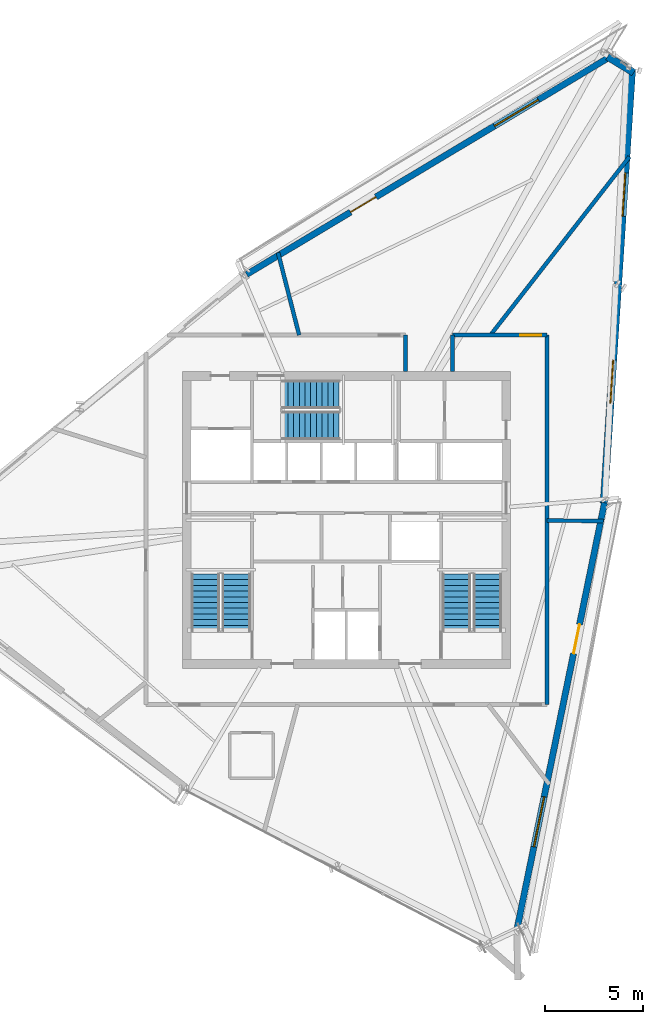
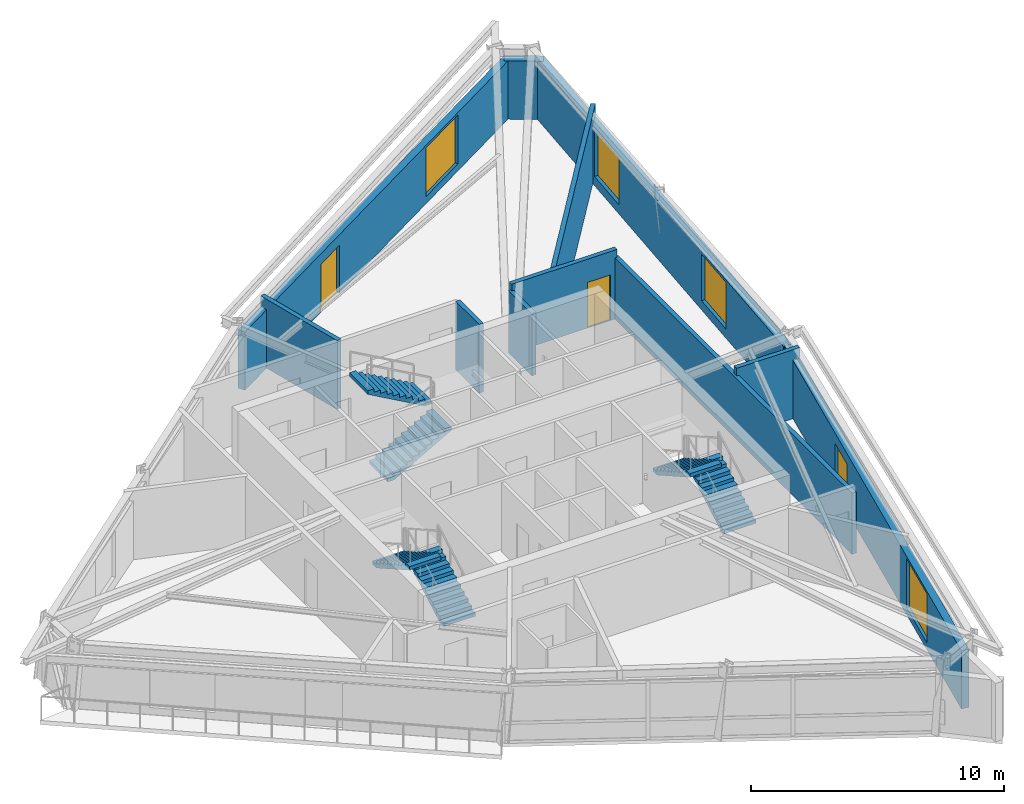
# One storey, part 11 of 14: 11 walls, 6 stair flights, 4 windows, 3 doors, 7 openings, 3 elements without a shape of their own.
"""IFC4 building model written with IfcOpenShell, lengths in metres."""

from ifc_helpers import new_model, si_unit, direction, frame, frame_2d, origin, place, context, subcontext, project, spatial, polyline, rectangle, outline, extrude, source, transform, mapped, material, layer, layer_set, type_object, type_shapes, element, fill, aggregate, save


model = new_model("IFC4")

# Units and contexts
model_context = context("Model", 3, precision=1e-05, world=origin(), true_north=direction((0.0, 1.0)))
body_context = subcontext(model_context, "Body", "Model", "MODEL_VIEW")
ifc_project = project(units=[si_unit("LENGTHUNIT", "METRE"), si_unit("AREAUNIT", "SQUARE_METRE"), si_unit("VOLUMEUNIT", "CUBIC_METRE"), si_unit("PLANEANGLEUNIT", "RADIAN"), si_unit("MASSUNIT", "GRAM", prefix="KILO")], contexts=[model_context])

# Site, building, storey
site_placement = place(None, origin())
site = spatial("IfcSite", under=ifc_project, at=site_placement, CompositionType="ELEMENT")
building_placement = place(site_placement, origin())
building = spatial("IfcBuilding", under=site, at=building_placement, Name="Olszyna Solenne Hotel", CompositionType="ELEMENT")
storey_placement = place(building_placement, frame((0.0, 0.0, 274.10009765625)))
storey = spatial("IfcBuildingStorey", under=building, at=storey_placement, Name="L73", CompositionType="ELEMENT", Elevation=274.10009765625)

# Wall, openings, door, window
ifc_material_1 = material(Name="Precast concrete C45/55", Category="concrete")
ifc_layer_1 = layer(ifc_material_1, 0.320068359375, Name="Precast concrete C45/55")
ifc_layer_set_1 = layer_set([ifc_layer_1], Name="Precast concrete C45/55")
wall_type_1 = type_object("IfcWallType", Name="WL-EX320", PredefinedType="SOLIDWALL", material=ifc_layer_set_1)
wall_1_placement = place(storey_placement, frame((51.125732421875, 27.472900390625, 0.0), z_axis=(0.0, 0.0, 1.0), x_axis=(-0.201040285464, -0.979582974342, 0.0)))
wall_1 = element("IfcWall", 1, at=wall_1_placement, inside=storey, type_object=wall_type_1, Name="Exterior terracotta-precast frame wall WL-EX320 EW-L73-01", PredefinedType="SOLIDWALL", context=body_context, shape_type="SweptSolid", body=[
    extrude(rectangle(XDim=22.118896484375, YDim=0.320068359375, at=frame_2d((11.0595703125, 0.0))), origin(), (0.0, 0.0, 1.0), 2.81201171875),
])
opening_1_placement = place(wall_1_placement, frame((6.327880859375, 0.0, 0.0)))
opening_1 = element("IfcOpeningElement", 2, at=opening_1_placement, cuts=wall_1, Name="Opening LDG-L73-3", PredefinedType="OPENING", context=body_context, shape_type="SweptSolid", body=[
    extrude(rectangle(XDim=1.5, YDim=2.300048828125, at=frame_2d((0.75, 1.14990234375))), frame((0.0, 0.169921875, 0.0), z_axis=(0.0, -1.0, 0.0), x_axis=(1.0, 0.0, 0.0)), (0.0, 0.0, 1.0), 0.340087890625),
])
opening_2_placement = place(wall_1_placement, frame((15.26806640625, 0.0, 0.342041015625)))
opening_2 = element("IfcOpeningElement", 3, at=opening_2_placement, cuts=wall_1, Name="Opening WN-L73-487", PredefinedType="OPENING", context=body_context, shape_type="SweptSolid", body=[
    extrude(rectangle(XDim=2.60009765625, YDim=2.35009765625, at=frame_2d((1.300048828125, 1.175048828125))), frame((0.0, 0.169921875, 0.0), z_axis=(0.0, -1.0, 0.0), x_axis=(1.0, 0.0, 0.0)), (0.0, 0.0, 1.0), 0.340087890625),
])
ifc_material_2 = material(Name="Anodised bronze aluminium", Category="aluminium")
door_type_1 = type_object("IfcDoorType", Name="DR-LG2", OperationType="DOUBLE_DOOR_SINGLE_SWING", PredefinedType="DOOR", material=ifc_material_2)
shared_shape_1 = source(origin(), body_context, "Body", "SweptSolid", [
    extrude(rectangle(XDim=1.5, YDim=2.300048828125, at=frame_2d((0.75, 1.14990234375))), frame((0.0, 0.02490234375, 0.0), z_axis=(0.0, -1.0, 0.0), x_axis=(1.0, 0.0, 0.0)), (0.0, 0.0, 1.0), 0.050048828125),
])
type_shapes(door_type_1, [shared_shape_1])
door_1_placement = place(opening_1_placement, origin())
door_1 = element("IfcDoor", 4, at=door_1_placement, inside=storey, type_object=door_type_1, Name="Exterior loggia balcony door DR-LG2 LDG-L73-3", OperationType="DOUBLE_DOOR_SINGLE_SWING", OverallHeight=2.300048828125, OverallWidth=1.5, PredefinedType="DOOR", context=body_context, shape_type="MappedRepresentation", body=[
    mapped(shared_shape_1, transform((0.0, 0.0, 0.0), x_axis=(1.0, 0.0, 0.0), y_axis=(0.0, 1.0, 0.0), z_axis=(0.0, 0.0, 1.0), scale=1.0)),
])
fill(opening_1, door_1)
ifc_material_3 = material(Name="Low-E triple glazing", Category="glass")
window_type_1 = type_object("IfcWindowType", Name="WN-ST1", PartitioningType="SINGLE_PANEL", PredefinedType="WINDOW", material=ifc_material_3)
shared_shape_2 = source(origin(), body_context, "Body", "SweptSolid", [
    extrude(rectangle(XDim=2.60009765625, YDim=2.35009765625, at=frame_2d((1.300048828125, 1.175048828125))), frame((0.0, 0.030029296875, 0.0), z_axis=(0.0, -1.0, 0.0), x_axis=(1.0, 0.0, 0.0)), (0.0, 0.0, 1.0), 0.06005859375),
])
type_shapes(window_type_1, [shared_shape_2])
window_1_placement = place(opening_2_placement, origin())
window_1 = element("IfcWindow", 5, at=window_1_placement, inside=storey, type_object=window_type_1, Name="Loggia room window WN-ST1 WN-L73-487", OverallHeight=2.35009765625, OverallWidth=2.60009765625, PartitioningType="SINGLE_PANEL", PredefinedType="WINDOW", context=body_context, shape_type="MappedRepresentation", body=[
    mapped(shared_shape_2, transform((0.0, 0.0, 0.0), x_axis=(1.0, 0.0, 0.0), y_axis=(0.0, 1.0, 0.0), z_axis=(0.0, 0.0, 1.0), scale=1.0)),
])
fill(opening_2, window_1)

wall_2_placement = place(storey_placement, frame((32.921142578125, 39.085205078125, 0.0), z_axis=(0.0, 0.0, 1.0), x_axis=(0.8579501269, 0.513732984879, 0.0)))
wall_2 = element("IfcWall", 6, at=wall_2_placement, inside=storey, type_object=wall_type_1, Name="Exterior terracotta-precast frame wall WL-EX320 EW-L73-08", PredefinedType="SOLIDWALL", context=body_context, shape_type="SweptSolid", body=[
    extrude(rectangle(XDim=21.610595703125, YDim=0.320068359375, at=frame_2d((10.80517578125, 0.0))), origin(), (0.0, 0.0, 1.0), 2.81201171875),
])
opening_3_placement = place(wall_2_placement, frame((6.1650390625, 0.0, 0.0)))
opening_3 = element("IfcOpeningElement", 7, at=opening_3_placement, cuts=wall_2, Name="Opening LDG-L73-1", PredefinedType="OPENING", context=body_context, shape_type="SweptSolid", body=[
    extrude(rectangle(XDim=1.5, YDim=2.300048828125, at=frame_2d((0.75, 1.14990234375))), frame((0.0, 0.169921875, 0.0), z_axis=(0.0, -1.0, 0.0), x_axis=(1.0, 0.0, 0.0)), (0.0, 0.0, 1.0), 0.340087890625),
])
opening_4_placement = place(wall_2_placement, frame((14.69189453125, 0.0, 0.342041015625)))
opening_4 = element("IfcOpeningElement", 8, at=opening_4_placement, cuts=wall_2, Name="Opening WN-L73-491", PredefinedType="OPENING", context=body_context, shape_type="SweptSolid", body=[
    extrude(rectangle(XDim=2.60009765625, YDim=2.35009765625, at=frame_2d((1.300048828125, 1.175048828125))), frame((0.0, 0.169921875, 0.0), z_axis=(0.0, -1.0, 0.0), x_axis=(1.0, 0.0, 0.0)), (0.0, 0.0, 1.0), 0.340087890625),
])
door_2_placement = place(opening_3_placement, origin())
door_2 = element("IfcDoor", 9, at=door_2_placement, inside=storey, type_object=door_type_1, Name="Exterior loggia balcony door DR-LG2 LDG-L73-1", OperationType="DOUBLE_DOOR_SINGLE_SWING", OverallHeight=2.300048828125, OverallWidth=1.5, PredefinedType="DOOR", context=body_context, shape_type="MappedRepresentation", body=[
    mapped(shared_shape_1, transform((0.0, 0.0, 0.0), x_axis=(1.0, 0.0, 0.0), y_axis=(0.0, 1.0, 0.0), z_axis=(0.0, 0.0, 1.0), scale=1.0)),
])
fill(opening_3, door_2)
window_2_placement = place(opening_4_placement, origin())
window_2 = element("IfcWindow", 10, at=window_2_placement, inside=storey, type_object=window_type_1, Name="Loggia room window WN-ST1 WN-L73-491", OverallHeight=2.35009765625, OverallWidth=2.60009765625, PartitioningType="SINGLE_PANEL", PredefinedType="WINDOW", context=body_context, shape_type="MappedRepresentation", body=[
    mapped(shared_shape_2, transform((0.0, 0.0, 0.0), x_axis=(1.0, 0.0, 0.0), y_axis=(0.0, 1.0, 0.0), z_axis=(0.0, 0.0, 1.0), scale=1.0)),
])
fill(opening_4, window_2)

# Wall
ifc_material_4 = material(Name="Terracotta cladding on precast concrete C45/55", Category="masonry")
ifc_layer_2 = layer(ifc_material_4, 0.3798828125, Name="Terracotta cladding on precast concrete C45/55")
ifc_layer_set_2 = layer_set([ifc_layer_2], Name="Terracotta cladding on precast concrete C45/55")
wall_type_2 = type_object("IfcWallType", Name="WL-EX380", PredefinedType="SOLIDWALL", material=ifc_layer_set_2)
wall_3_placement = place(storey_placement, frame((51.281005859375, 50.162353515625, 0.0), z_axis=(0.0, 0.0, 1.0), x_axis=(0.854004945666, -0.520264887127, 0.0)))
element("IfcWall", 11, at=wall_3_placement, inside=storey, type_object=wall_type_2, Name="Exterior terracotta-precast frame wall WL-EX380 EW-L73-09", PredefinedType="SOLIDWALL", context=body_context, shape_type="SweptSolid", body=[
    extrude(rectangle(XDim=1.558837890625, YDim=0.3798828125, at=frame_2d((0.779296875, 0.0))), origin(), (0.0, 0.0, 1.0), 2.81201171875),
])

# Wall, openings, windows
wall_4_placement = place(storey_placement, frame((52.521484375, 49.52587890625, 0.0), z_axis=(0.0, 0.0, 1.0), x_axis=(-0.064581194321, -0.99791245575, 0.0)))
wall_4 = element("IfcWall", 12, at=wall_4_placement, inside=storey, type_object=wall_type_2, Name="Exterior terracotta-precast frame wall WL-EX380 EW-L73-10", PredefinedType="SOLIDWALL", context=body_context, shape_type="SweptSolid", body=[
    extrude(rectangle(XDim=22.118896484375, YDim=0.3798828125, at=frame_2d((11.0595703125, 0.0))), origin(), (0.0, 0.0, 1.0), 2.81201171875),
])
opening_5_placement = place(wall_4_placement, frame((5.29296875, 0.0, 0.44189453125)))
opening_5 = element("IfcOpeningElement", 13, at=opening_5_placement, cuts=wall_4, Name="Opening WN-L73-492", PredefinedType="OPENING", context=body_context, shape_type="SweptSolid", body=[
    extrude(rectangle(XDim=2.199951171875, YDim=2.25, at=frame_2d((1.10009765625, 1.125))), frame((0.0, 0.199951171875, 0.0), z_axis=(0.0, -1.0, 0.0), x_axis=(1.0, 0.0, 0.0)), (0.0, 0.0, 1.0), 0.39990234375),
])
opening_6_placement = place(wall_4_placement, frame((14.825927734375, 0.0, 0.44189453125)))
opening_6 = element("IfcOpeningElement", 14, at=opening_6_placement, cuts=wall_4, Name="Opening WN-L73-493", PredefinedType="OPENING", context=body_context, shape_type="SweptSolid", body=[
    extrude(rectangle(XDim=2.199951171875, YDim=2.25, at=frame_2d((1.10009765625, 1.125))), frame((0.0, 0.199951171875, 0.0), z_axis=(0.0, -1.0, 0.0), x_axis=(1.0, 0.0, 0.0)), (0.0, 0.0, 1.0), 0.39990234375),
])
window_type_2 = type_object("IfcWindowType", Name="WN-HT2", PartitioningType="SINGLE_PANEL", PredefinedType="WINDOW", material=ifc_material_3)
shared_shape_3 = source(origin(), body_context, "Body", "SweptSolid", [
    extrude(rectangle(XDim=2.199951171875, YDim=2.25, at=frame_2d((1.10009765625, 1.125))), frame((0.0, 0.030029296875, 0.0), z_axis=(0.0, -1.0, 0.0), x_axis=(1.0, 0.0, 0.0)), (0.0, 0.0, 1.0), 0.06005859375),
])
type_shapes(window_type_2, [shared_shape_3])
window_3_placement = place(opening_5_placement, origin())
window_3 = element("IfcWindow", 15, at=window_3_placement, inside=storey, type_object=window_type_2, Name="Exterior facade window WN-HT2 WN-L73-492", OverallHeight=2.25, OverallWidth=2.199951171875, PartitioningType="SINGLE_PANEL", PredefinedType="WINDOW", context=body_context, shape_type="MappedRepresentation", body=[
    mapped(shared_shape_3, transform((0.0, 0.0, 0.0), x_axis=(1.0, 0.0, 0.0), y_axis=(0.0, 1.0, 0.0), z_axis=(0.0, 0.0, 1.0), scale=1.0)),
])
fill(opening_5, window_3)
window_4_placement = place(opening_6_placement, origin())
window_4 = element("IfcWindow", 16, at=window_4_placement, inside=storey, type_object=window_type_2, Name="Exterior facade window WN-HT2 WN-L73-493", OverallHeight=2.25, OverallWidth=2.199951171875, PartitioningType="SINGLE_PANEL", PredefinedType="WINDOW", context=body_context, shape_type="MappedRepresentation", body=[
    mapped(shared_shape_3, transform((0.0, 0.0, 0.0), x_axis=(1.0, 0.0, 0.0), y_axis=(0.0, 1.0, 0.0), z_axis=(0.0, 0.0, 1.0), scale=1.0)),
])
fill(opening_6, window_4)

# Walls
ifc_material_5 = material(Name="Acoustic gypsum partition", Category="gypsum")
ifc_layer_3 = layer(ifc_material_5, 0.199951171875, Name="Acoustic gypsum partition")
ifc_layer_set_3 = layer_set([ifc_layer_3], Name="Acoustic gypsum partition")
wall_type_3 = type_object("IfcWallType", Name="WL-PT200", PredefinedType="PARTITIONING", material=ifc_layer_set_3)
wall_5_placement = place(storey_placement, frame((48.199951171875, 26.56103515625, 0.0), z_axis=(0.0, 0.0, 1.0), x_axis=(0.999992668941, -0.003829107395, 0.0)))
element("IfcWall", 17, at=wall_5_placement, inside=storey, type_object=wall_type_3, Name="Interior acoustic partition WL-PT200 PW-L73-4010", PredefinedType="PARTITIONING", context=body_context, shape_type="SweptSolid", body=[
    extrude(rectangle(XDim=2.869140625, YDim=0.199951171875, at=frame_2d((1.4345703125, 0.0))), origin(), (0.0, 0.0, 1.0), 3.31982421875),
])
wall_6_placement = place(storey_placement, frame((45.3251953125, 36.0, 0.0), z_axis=(0.0, 0.0, 1.0), x_axis=(0.614681143214, 0.788775691928, 0.0)))
element("IfcWall", 18, at=wall_6_placement, inside=storey, type_object=wall_type_3, Name="Interior acoustic partition WL-PT200 PW-L73-4011", PredefinedType="PARTITIONING", context=body_context, shape_type="SweptSolid", body=[
    extrude(rectangle(XDim=11.499267578125, YDim=0.199951171875, at=frame_2d((5.74951171875, 0.0))), origin(), (0.0, 0.0, 1.0), 3.31982421875),
])
wall_7_placement = place(storey_placement, frame((35.593017578125, 36.0, 0.0), z_axis=(0.0, 0.0, 1.0), x_axis=(-0.248038825482, 0.968750092157, 0.0)))
element("IfcWall", 19, at=wall_7_placement, inside=storey, type_object=wall_type_3, Name="Interior acoustic partition WL-PT200 PW-L73-4012", PredefinedType="PARTITIONING", context=body_context, shape_type="SweptSolid", body=[
    extrude(rectangle(XDim=4.328857421875, YDim=0.199951171875, at=frame_2d((2.16455078125, 0.0))), origin(), (0.0, 0.0, 1.0), 3.31982421875),
])
wall_8_placement = place(storey_placement, frame((41.0, 34.14990234375, 0.0), z_axis=(0.0, 0.0, 1.0), x_axis=(0.0, 1.0, 0.0)))
element("IfcWall", 20, at=wall_8_placement, inside=storey, type_object=wall_type_3, Name="Interior acoustic partition WL-PT200 PW-L73-4022", PredefinedType="PARTITIONING", context=body_context, shape_type="SweptSolid", body=[
    extrude(rectangle(XDim=1.85009765625, YDim=0.199951171875, at=frame_2d((0.925048828125, 0.0))), origin(), (0.0, 0.0, 1.0), 3.31982421875),
])

# Wall, opening, door
wall_9_placement = place(storey_placement, frame((43.39990234375, 36.0, 0.0), z_axis=(0.0, 0.0, 1.0), x_axis=(1.0, 0.0, 0.0)))
wall_9 = element("IfcWall", 21, at=wall_9_placement, inside=storey, type_object=wall_type_3, Name="Interior acoustic partition WL-PT200 PW-L73-4023", PredefinedType="PARTITIONING", context=body_context, shape_type="SweptSolid", body=[
    extrude(rectangle(XDim=4.800048828125, YDim=0.199951171875, at=frame_2d((2.39990234375, 0.0))), origin(), (0.0, 0.0, 1.0), 3.31982421875),
])
opening_7_placement = place(wall_9_placement, frame((3.449951171875, 0.0, 0.0)))
opening_7 = element("IfcOpeningElement", 22, at=opening_7_placement, cuts=wall_9, Name="Opening DR-L73-0977", PredefinedType="OPENING", context=body_context, shape_type="SweptSolid", body=[
    extrude(rectangle(XDim=1.050048828125, YDim=2.199951171875, at=frame_2d((0.52490234375, 1.10009765625))), frame((0.0, 0.10986328125, 0.0), z_axis=(0.0, -1.0, 0.0), x_axis=(1.0, 0.0, 0.0)), (0.0, 0.0, 1.0), 0.219970703125),
])
ifc_material_6 = material(Name="Timber hardwood", Category="wood")
door_type_2 = type_object("IfcDoorType", Name="DR-RM2", OperationType="NOTDEFINED", PredefinedType="DOOR", material=ifc_material_6)
shared_shape_4 = source(origin(), body_context, "Body", "SweptSolid", [
    extrude(rectangle(XDim=1.050048828125, YDim=2.199951171875, at=frame_2d((0.52490234375, 1.10009765625))), frame((0.0, 0.02490234375, 0.0), z_axis=(0.0, -1.0, 0.0), x_axis=(1.0, 0.0, 0.0)), (0.0, 0.0, 1.0), 0.050048828125),
])
type_shapes(door_type_2, [shared_shape_4])
door_3_placement = place(opening_7_placement, origin())
door_3 = element("IfcDoor", 23, at=door_3_placement, inside=storey, type_object=door_type_2, Name="Wellness Spa Studio Entrance Door DR-L73-0977", OperationType="SINGLE_SWING_RIGHT", OverallHeight=2.199951171875, OverallWidth=1.050048828125, PredefinedType="DOOR", context=body_context, shape_type="MappedRepresentation", body=[
    mapped(shared_shape_4, transform((0.0, 0.0, 0.0), x_axis=(1.0, 0.0, 0.0), y_axis=(0.0, 1.0, 0.0), z_axis=(0.0, 0.0, 1.0), scale=1.0)),
])
fill(opening_7, door_3)

# Walls
wall_10_placement = place(storey_placement, frame((43.39990234375, 34.14990234375, 0.0), z_axis=(0.0, 0.0, 1.0), x_axis=(0.0, 1.0, 0.0)))
element("IfcWall", 24, at=wall_10_placement, inside=storey, type_object=wall_type_3, Name="Interior acoustic partition WL-PT200 PW-L73-4024", PredefinedType="PARTITIONING", context=body_context, shape_type="SweptSolid", body=[
    extrude(rectangle(XDim=1.85009765625, YDim=0.199951171875, at=frame_2d((0.925048828125, 0.0))), origin(), (0.0, 0.0, 1.0), 2.994873046875),
])
wall_11_placement = place(storey_placement, frame((48.199951171875, 17.199951171875, 0.0), z_axis=(0.0, 0.0, 1.0), x_axis=(0.0, 1.0, 0.0)))
element("IfcWall", 25, at=wall_11_placement, inside=storey, type_object=wall_type_3, Name="Interior acoustic partition WL-PT200 PW-L73-4025", PredefinedType="PARTITIONING", context=body_context, shape_type="SweptSolid", body=[
    extrude(rectangle(XDim=18.800048828125, YDim=0.199951171875, at=frame_2d((9.39990234375, 0.0))), origin(), (0.0, 0.0, 1.0), 2.94482421875),
])

# Stair, stair flights
ifc_material_7 = material(Name="Concrete C40/50", Category="concrete")
stair_type = type_object("IfcStairType", Name="STR-C1", PredefinedType="TWO_QUARTER_WINDING_STAIR", material=ifc_material_7)
stair_1_placement = place(storey_placement, origin())
stair_1 = element("IfcStair", 26, at=stair_1_placement, inside=storey, type_object=stair_type, Name="L73 ST1", PredefinedType="TWO_QUARTER_WINDING_STAIR")
stair_flight_type = type_object("IfcStairFlightType", Name="FLT-C1", PredefinedType="STRAIGHT", material=ifc_material_7)
stair_flight_1_placement = place(storey_placement, frame((32.39501953125, 20.949951171875, 0.0), z_axis=(0.0, 0.0, 1.0), x_axis=(0.0, 1.0, 0.0)))
stair_flight_1 = element("IfcStairFlight", 27, at=stair_flight_1_placement, type_object=stair_flight_type, Name="ST1 flight 1", NumberOfRisers=11, NumberOfTreads=10, PredefinedType="STRAIGHT", RiserHeight=0.163636364, TreadLength=0.29, context=body_context, shape_type="SweptSolid", body=[
    extrude(outline(polyline([(0.0, 0.0), (0.0, 0.16357421875), (0.2900390625, 0.16357421875), (0.2900390625, 0.327392578125), (0.580078125, 0.327392578125), (0.580078125, 0.490966796875), (0.8701171875, 0.490966796875), (0.8701171875, 0.654541015625), (1.159912109375, 0.654541015625), (1.159912109375, 0.818115234375), (1.449951171875, 0.818115234375), (1.449951171875, 0.98193359375), (1.739990234375, 0.98193359375), (1.739990234375, 1.1455078125), (2.030029296875, 1.1455078125), (2.030029296875, 1.30908203125), (2.320068359375, 1.30908203125), (2.320068359375, 1.47265625), (2.610107421875, 1.47265625), (2.610107421875, 1.636474609375), (2.89990234375, 1.636474609375), (2.89990234375, 1.800048828125), (2.89990234375, 1.46435546875), (0.304931640625, 0.0), (0.0, 0.0)])), frame((0.0, 0.72509765625, 0.0), z_axis=(0.0, -1.0, 0.0), x_axis=(1.0, 0.0, 0.0)), (0.0, 0.0, 1.0), 1.449951171875),
])
stair_flight_2_placement = place(storey_placement, frame((30.824951171875, 23.85009765625, 1.7998046875), z_axis=(0.0, 0.0, 1.0), x_axis=(0.0, -1.0, 0.0)))
stair_flight_2 = element("IfcStairFlight", 28, at=stair_flight_2_placement, type_object=stair_flight_type, Name="ST1 flight 2", NumberOfRisers=11, NumberOfTreads=10, PredefinedType="STRAIGHT", RiserHeight=0.163636364, TreadLength=0.29, context=body_context, shape_type="SweptSolid", body=[
    extrude(outline(polyline([(0.0, 0.0), (0.0, 0.16357421875), (0.2900390625, 0.16357421875), (0.2900390625, 0.327392578125), (0.580078125, 0.327392578125), (0.580078125, 0.490966796875), (0.8701171875, 0.490966796875), (0.8701171875, 0.654541015625), (1.159912109375, 0.654541015625), (1.159912109375, 0.818115234375), (1.449951171875, 0.818115234375), (1.449951171875, 0.98193359375), (1.739990234375, 0.98193359375), (1.739990234375, 1.1455078125), (2.030029296875, 1.1455078125), (2.030029296875, 1.30908203125), (2.320068359375, 1.30908203125), (2.320068359375, 1.47265625), (2.610107421875, 1.47265625), (2.610107421875, 1.636474609375), (2.89990234375, 1.636474609375), (2.89990234375, 1.800048828125), (2.89990234375, 1.46435546875), (0.304931640625, 0.0), (0.0, 0.0)])), frame((0.0, 0.72509765625, 0.0), z_axis=(0.0, -1.0, 0.0), x_axis=(1.0, 0.0, 0.0)), (0.0, 0.0, 1.0), 1.449951171875),
])
aggregate(stair_1, [stair_flight_1, stair_flight_2])

stair_2_placement = place(storey_placement, origin())
stair_2 = element("IfcStair", 29, at=stair_2_placement, inside=storey, type_object=stair_type, Name="L73 ST2", PredefinedType="TWO_QUARTER_WINDING_STAIR")
stair_flight_3_placement = place(storey_placement, frame((45.175048828125, 20.949951171875, 0.0), z_axis=(0.0, 0.0, 1.0), x_axis=(0.0, 1.0, 0.0)))
stair_flight_3 = element("IfcStairFlight", 30, at=stair_flight_3_placement, type_object=stair_flight_type, Name="ST2 flight 1", NumberOfRisers=11, NumberOfTreads=10, PredefinedType="STRAIGHT", RiserHeight=0.163636364, TreadLength=0.29, context=body_context, shape_type="SweptSolid", body=[
    extrude(outline(polyline([(0.0, 0.0), (0.0, 0.16357421875), (0.2900390625, 0.16357421875), (0.2900390625, 0.327392578125), (0.580078125, 0.327392578125), (0.580078125, 0.490966796875), (0.8701171875, 0.490966796875), (0.8701171875, 0.654541015625), (1.159912109375, 0.654541015625), (1.159912109375, 0.818115234375), (1.449951171875, 0.818115234375), (1.449951171875, 0.98193359375), (1.739990234375, 0.98193359375), (1.739990234375, 1.1455078125), (2.030029296875, 1.1455078125), (2.030029296875, 1.30908203125), (2.320068359375, 1.30908203125), (2.320068359375, 1.47265625), (2.610107421875, 1.47265625), (2.610107421875, 1.636474609375), (2.89990234375, 1.636474609375), (2.89990234375, 1.800048828125), (2.89990234375, 1.46435546875), (0.304931640625, 0.0), (0.0, 0.0)])), frame((0.0, 0.72509765625, 0.0), z_axis=(0.0, -1.0, 0.0), x_axis=(1.0, 0.0, 0.0)), (0.0, 0.0, 1.0), 1.449951171875),
])
stair_flight_4_placement = place(storey_placement, frame((43.60498046875, 23.85009765625, 1.7998046875), z_axis=(0.0, 0.0, 1.0), x_axis=(0.0, -1.0, 0.0)))
stair_flight_4 = element("IfcStairFlight", 31, at=stair_flight_4_placement, type_object=stair_flight_type, Name="ST2 flight 2", NumberOfRisers=11, NumberOfTreads=10, PredefinedType="STRAIGHT", RiserHeight=0.163636364, TreadLength=0.29, context=body_context, shape_type="SweptSolid", body=[
    extrude(outline(polyline([(0.0, 0.0), (0.0, 0.16357421875), (0.2900390625, 0.16357421875), (0.2900390625, 0.327392578125), (0.580078125, 0.327392578125), (0.580078125, 0.490966796875), (0.8701171875, 0.490966796875), (0.8701171875, 0.654541015625), (1.159912109375, 0.654541015625), (1.159912109375, 0.818115234375), (1.449951171875, 0.818115234375), (1.449951171875, 0.98193359375), (1.739990234375, 0.98193359375), (1.739990234375, 1.1455078125), (2.030029296875, 1.1455078125), (2.030029296875, 1.30908203125), (2.320068359375, 1.30908203125), (2.320068359375, 1.47265625), (2.610107421875, 1.47265625), (2.610107421875, 1.636474609375), (2.89990234375, 1.636474609375), (2.89990234375, 1.800048828125), (2.89990234375, 1.46435546875), (0.304931640625, 0.0), (0.0, 0.0)])), frame((0.0, 0.72509765625, 0.0), z_axis=(0.0, -1.0, 0.0), x_axis=(1.0, 0.0, 0.0)), (0.0, 0.0, 1.0), 1.449951171875),
])
aggregate(stair_2, [stair_flight_3, stair_flight_4])

stair_3_placement = place(storey_placement, origin())
stair_3 = element("IfcStair", 32, at=stair_3_placement, inside=storey, type_object=stair_type, Name="L73 ST3", PredefinedType="TWO_QUARTER_WINDING_STAIR")
stair_flight_5_placement = place(storey_placement, frame((34.72998046875, 31.405029296875, 0.0), z_axis=(0.0, 0.0, 1.0), x_axis=(1.0, 0.0, 0.0)))
stair_flight_5 = element("IfcStairFlight", 33, at=stair_flight_5_placement, type_object=stair_flight_type, Name="ST3 flight 1", NumberOfRisers=11, NumberOfTreads=10, PredefinedType="STRAIGHT", RiserHeight=0.163636364, TreadLength=0.29, context=body_context, shape_type="SweptSolid", body=[
    extrude(outline(polyline([(0.0, 0.0), (0.0, 0.16357421875), (0.2900390625, 0.16357421875), (0.2900390625, 0.327392578125), (0.580078125, 0.327392578125), (0.580078125, 0.490966796875), (0.8701171875, 0.490966796875), (0.8701171875, 0.654541015625), (1.159912109375, 0.654541015625), (1.159912109375, 0.818115234375), (1.449951171875, 0.818115234375), (1.449951171875, 0.98193359375), (1.739990234375, 0.98193359375), (1.739990234375, 1.1455078125), (2.030029296875, 1.1455078125), (2.030029296875, 1.30908203125), (2.320068359375, 1.30908203125), (2.320068359375, 1.47265625), (2.610107421875, 1.47265625), (2.610107421875, 1.636474609375), (2.89990234375, 1.636474609375), (2.89990234375, 1.800048828125), (2.89990234375, 1.46435546875), (0.304931640625, 0.0), (0.0, 0.0)])), frame((0.0, 0.72509765625, 0.0), z_axis=(0.0, -1.0, 0.0), x_axis=(1.0, 0.0, 0.0)), (0.0, 0.0, 1.0), 1.449951171875),
])
stair_flight_6_placement = place(storey_placement, frame((37.6298828125, 32.97509765625, 1.7998046875), z_axis=(0.0, 0.0, 1.0), x_axis=(-1.0, 0.0, 0.0)))
stair_flight_6 = element("IfcStairFlight", 34, at=stair_flight_6_placement, type_object=stair_flight_type, Name="ST3 flight 2", NumberOfRisers=11, NumberOfTreads=10, PredefinedType="STRAIGHT", RiserHeight=0.163636364, TreadLength=0.29, context=body_context, shape_type="SweptSolid", body=[
    extrude(outline(polyline([(0.0, 0.0), (0.0, 0.16357421875), (0.2900390625, 0.16357421875), (0.2900390625, 0.327392578125), (0.580078125, 0.327392578125), (0.580078125, 0.490966796875), (0.8701171875, 0.490966796875), (0.8701171875, 0.654541015625), (1.159912109375, 0.654541015625), (1.159912109375, 0.818115234375), (1.449951171875, 0.818115234375), (1.449951171875, 0.98193359375), (1.739990234375, 0.98193359375), (1.739990234375, 1.1455078125), (2.030029296875, 1.1455078125), (2.030029296875, 1.30908203125), (2.320068359375, 1.30908203125), (2.320068359375, 1.47265625), (2.610107421875, 1.47265625), (2.610107421875, 1.636474609375), (2.89990234375, 1.636474609375), (2.89990234375, 1.800048828125), (2.89990234375, 1.46435546875), (0.304931640625, 0.0), (0.0, 0.0)])), frame((0.0, 0.72509765625, 0.0), z_axis=(0.0, -1.0, 0.0), x_axis=(1.0, 0.0, 0.0)), (0.0, 0.0, 1.0), 1.449951171875),
])
aggregate(stair_3, [stair_flight_5, stair_flight_6])

save(model, "model.ifc")
